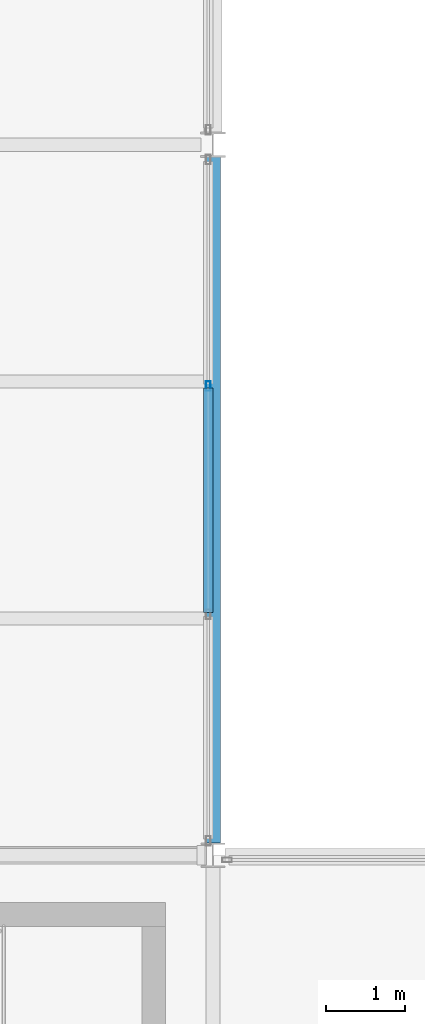
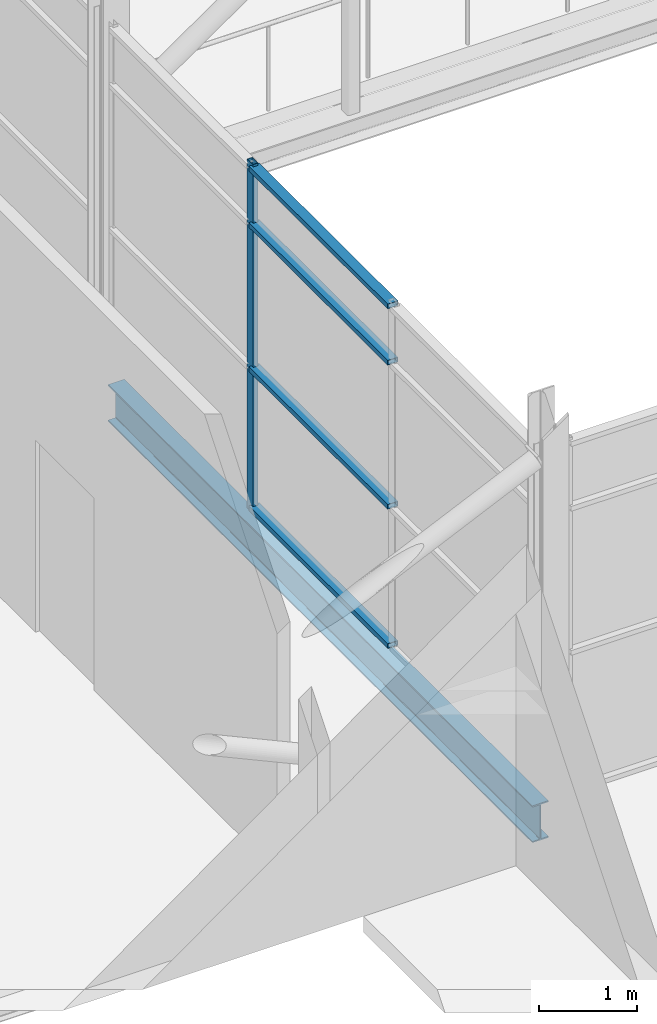
# One storey, part 13 of 94: 5 members, 1 beam, 1 element without a shape of its own.
"""IFC4 building model written with IfcOpenShell, lengths in metres."""

from ifc_helpers import new_model, si_unit, direction, frame, origin, origin_2d, place, context, subcontext, project, spatial, hollow_rectangle, i_section, extrude, material, layer, layer_set, material_profile, profile_set, type_object, element, aggregate, save


model = new_model("IFC4")

# Units and contexts
model_context = context("Model", 3, precision=1e-05, world=origin(), true_north=direction((0.0, 1.0)))
body_context = subcontext(model_context, "Body", "Model", "MODEL_VIEW")
ifc_project = project(units=[si_unit("LENGTHUNIT", "METRE"), si_unit("AREAUNIT", "SQUARE_METRE"), si_unit("VOLUMEUNIT", "CUBIC_METRE"), si_unit("PLANEANGLEUNIT", "RADIAN"), si_unit("MASSUNIT", "GRAM", prefix="KILO")], contexts=[model_context])

# Site, building, storey
site_placement = place(None, origin())
site = spatial("IfcSite", under=ifc_project, at=site_placement, CompositionType="ELEMENT")
building_placement = place(site_placement, origin())
building = spatial("IfcBuilding", under=site, at=building_placement, Name="Shorebreak Coast Museum", CompositionType="ELEMENT")
storey_placement = place(building_placement, frame((0.0, 0.0, 31.0)))
storey = spatial("IfcBuildingStorey", under=building, at=storey_placement, Name="L05", CompositionType="ELEMENT", Elevation=31.0)

# Beam
ifc_material_1 = material(Name="Steel Grade 300", Category="steel")
ifc_material_profile_1 = material_profile(ifc_material_1, i_section(OverallWidth=0.19091796875, OverallDepth=0.46044921875, WebThickness=0.010009765625, FlangeThickness=0.01611328125, FilletRadius=0.011474609375, at=origin_2d()), Name="460UB82.1")
ifc_profile_set_1 = profile_set([ifc_material_profile_1], Name="Steel Grade 300")
beam_type = type_object("IfcBeamType", Name="Floor girder north-south 460UB82.1", PredefinedType="BEAM", material=ifc_profile_set_1)
beam_placement = place(storey_placement, frame((63.0, 63.1572265625, -0.4052734375), z_axis=(0.0, 1.0, 0.0), x_axis=(-1.0, 0.0, 0.0)))
element("IfcBeam", 1, at=beam_placement, inside=storey, type_object=beam_type, Name="Floor girder north-south L05 8H", PredefinedType="BEAM", context=body_context, shape_type="SweptSolid", body=[
    extrude(i_section(OverallWidth=0.19091796875, OverallDepth=0.46044921875, WebThickness=0.010009765625, FlangeThickness=0.01611328125, FilletRadius=0.011474609375, at=origin_2d()), origin(), (0.0, 0.0, 1.0), 8.685546875),
])

# Curtain wall, members
ifc_material_2 = material(Name="Aluminium", Category="aluminium")
ifc_layer = layer(ifc_material_2, 0.1201171875)
ifc_layer_set = layer_set([ifc_layer], Name="Aluminium")
curtain_wall_type = type_object("IfcCurtainWallType", Name="Atrium fire screen", PredefinedType="NOTDEFINED", material=ifc_layer_set)
curtain_wall_placement = place(storey_placement, origin())
curtain_wall = element("IfcCurtainWall", 2, at=curtain_wall_placement, inside=storey, type_object=curtain_wall_type, Name="Atrium screen L05 W 73", PredefinedType="NOTDEFINED")
ifc_material_3 = material(Name="Aluminium", Category="aluminium")
ifc_material_profile_2 = material_profile(ifc_material_3, hollow_rectangle(XDim=0.06005859375, YDim=0.1201171875, WallThickness=0.00341796875, at=origin_2d()), Name="AL 120x60 RHS")
ifc_profile_set_2 = profile_set([ifc_material_profile_2], Name="Aluminium")
member_type_1 = type_object("IfcMemberType", Name="Screen mullion 50 x 120", PredefinedType="MULLION", material=ifc_profile_set_2)
member_1_placement = place(storey_placement, frame((62.93994140625, 68.943359375, 0.0), z_axis=(0.0, 0.0, 1.0), x_axis=(-1.0, 0.0, 0.0)))
member_1 = element("IfcMember", 3, at=member_1_placement, type_object=member_type_1, Name="CW5 mullion 3", PredefinedType="MULLION", context=body_context, shape_type="SweptSolid", body=[
    extrude(hollow_rectangle(XDim=0.06005859375, YDim=0.1201171875, WallThickness=0.00341796875, at=origin_2d()), origin(), (0.0, 0.0, 1.0), 4.364501953125),
])
ifc_material_4 = material(Name="Aluminium", Category="aluminium")
ifc_material_profile_3 = material_profile(ifc_material_4, hollow_rectangle(XDim=0.1201171875, YDim=0.06005859375, WallThickness=0.00341796875, at=origin_2d()), Name="AL 60x120 RHS")
ifc_profile_set_3 = profile_set([ifc_material_profile_3], Name="Aluminium")
member_type_2 = type_object("IfcMemberType", Name="Screen transom 120 x 50", PredefinedType="USERDEFINED", material=ifc_profile_set_3)
member_2_placement = place(storey_placement, frame((62.93994140625, 66.075439453125, 0.06005859375), z_axis=(0.0, 1.0, 0.0), x_axis=(-1.0, 0.0, 0.0)))
member_2 = element("IfcMember", 4, at=member_2_placement, type_object=member_type_2, Name="CW5 transom 2.1", ObjectType="TRANSOM", PredefinedType="USERDEFINED", context=body_context, shape_type="SweptSolid", body=[
    extrude(hollow_rectangle(XDim=0.1201171875, YDim=0.06005859375, WallThickness=0.00341796875, at=origin_2d()), origin(), (0.0, 0.0, 1.0), 2.843017578125),
])
member_3_placement = place(storey_placement, frame((62.93994140625, 66.075439453125, 1.800048828125), z_axis=(0.0, 1.0, 0.0), x_axis=(-1.0, 0.0, 0.0)))
member_3 = element("IfcMember", 5, at=member_3_placement, type_object=member_type_2, Name="CW5 transom 2.2", ObjectType="TRANSOM", PredefinedType="USERDEFINED", context=body_context, shape_type="SweptSolid", body=[
    extrude(hollow_rectangle(XDim=0.1201171875, YDim=0.06005859375, WallThickness=0.00341796875, at=origin_2d()), origin(), (0.0, 0.0, 1.0), 2.843017578125),
])
member_4_placement = place(storey_placement, frame((62.93994140625, 66.075439453125, 3.60009765625), z_axis=(0.0, 1.0, 0.0), x_axis=(-1.0, 0.0, 0.0)))
member_4 = element("IfcMember", 6, at=member_4_placement, type_object=member_type_2, Name="CW5 transom 2.3", ObjectType="TRANSOM", PredefinedType="USERDEFINED", context=body_context, shape_type="SweptSolid", body=[
    extrude(hollow_rectangle(XDim=0.1201171875, YDim=0.06005859375, WallThickness=0.00341796875, at=origin_2d()), origin(), (0.0, 0.0, 1.0), 2.843017578125),
])
member_5_placement = place(storey_placement, frame((62.93994140625, 66.075439453125, 4.3046875), z_axis=(0.0, 1.0, 0.0), x_axis=(-1.0, 0.0, 0.0)))
member_5 = element("IfcMember", 7, at=member_5_placement, type_object=member_type_2, Name="CW5 transom 2.4", ObjectType="TRANSOM", PredefinedType="USERDEFINED", context=body_context, shape_type="SweptSolid", body=[
    extrude(hollow_rectangle(XDim=0.1201171875, YDim=0.06005859375, WallThickness=0.00341796875, at=origin_2d()), origin(), (0.0, 0.0, 1.0), 2.843017578125),
])
aggregate(curtain_wall, [member_1, member_2, member_3, member_4, member_5])

save(model, "model.ifc")
